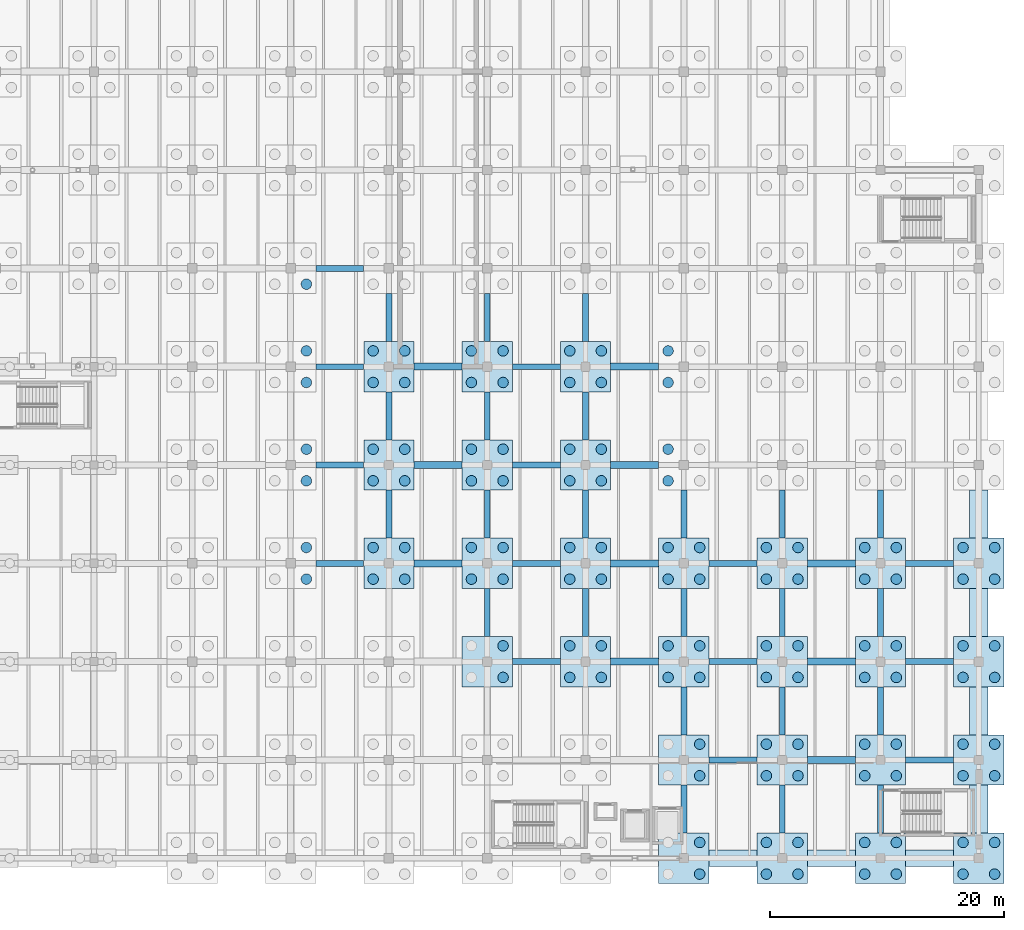
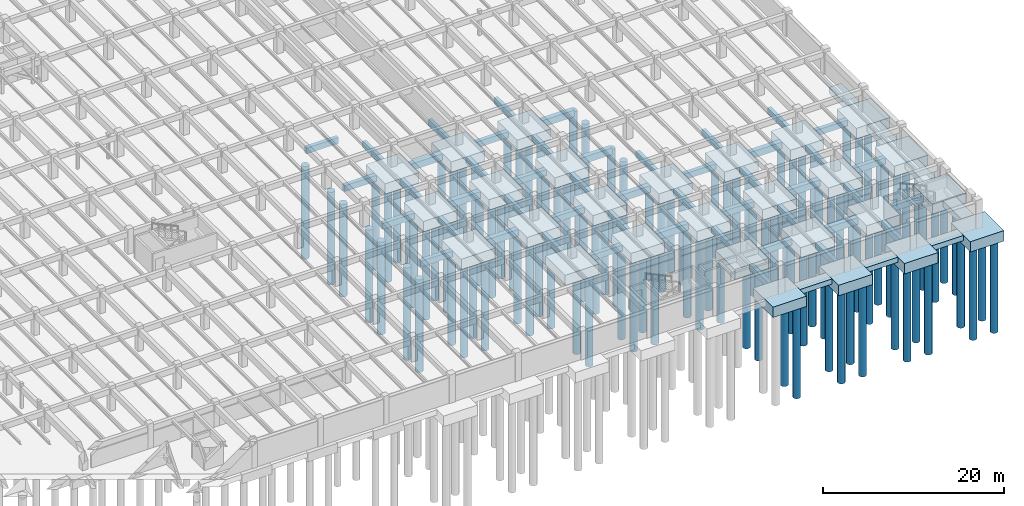
# One storey, part 10 of 70: 113 piles, 81 footings.
"""IFC4 building model written with IfcOpenShell, lengths in metres."""

from ifc_helpers import new_model, si_unit, direction, frame, origin, origin_2d, place, context, subcontext, project, spatial, rectangle, circle, extrude, material, material_profile, profile_set, type_object, element, save


model = new_model("IFC4")

# Units and contexts
model_context = context("Model", 3, precision=1e-05, world=origin(), true_north=direction((0.0, 1.0)))
body_context = subcontext(model_context, "Body", "Model", "MODEL_VIEW")
ifc_project = project(units=[si_unit("LENGTHUNIT", "METRE"), si_unit("AREAUNIT", "SQUARE_METRE"), si_unit("VOLUMEUNIT", "CUBIC_METRE"), si_unit("PLANEANGLEUNIT", "RADIAN"), si_unit("MASSUNIT", "GRAM", prefix="KILO")], contexts=[model_context])

# Site, building, storey
site_placement = place(None, origin())
site = spatial("IfcSite", under=ifc_project, at=site_placement, CompositionType="ELEMENT")
building_placement = place(site_placement, origin())
building = spatial("IfcBuilding", under=site, at=building_placement, Name="Cumbredor Promenade Congress Hotel", CompositionType="ELEMENT")
storey_placement = place(building_placement, frame((0.0, 0.0, -7.56005859375)))
storey = spatial("IfcBuildingStorey", under=building, at=storey_placement, Name="B02", CompositionType="ELEMENT", Elevation=-7.56005859375)

# Piles
ifc_material = material(Name="Concrete C40/50", Category="concrete")
ifc_material_profile_1 = material_profile(ifc_material, circle(Radius=0.449951171875, at=origin_2d()), Name="PILE D900")
ifc_profile_set_1 = profile_set([ifc_material_profile_1], Name="Concrete C40/50")
pile_type = type_object("IfcPileType", Name="Bored Concrete Pile BP-02 900mm", PredefinedType="BORED", material=ifc_profile_set_1)
for number, where, z_axis, x_axis, name in (
    (1, (127.35009765625, 32.25, -1.75), (0.0, 0.0, -1.0), (1.0, 0.0, 0.0), "Bored Pile PC-02-201.2"),
    (2, (127.35009765625, 34.949951171875, -1.75), (0.0, 0.0, -1.0), (1.0, 0.0, 0.0), "Bored Pile PC-02-201.4"),
    (3, (127.35009765625, 40.64990234375, -1.75), (0.0, 0.0, -1.0), (1.0, 0.0, 0.0), "Bored Pile PC-02-202.2"),
    (4, (127.35009765625, 43.35009765625, -1.75), (0.0, 0.0, -1.0), (1.0, 0.0, 0.0), "Bored Pile PC-02-202.4"),
    (5, (127.35009765625, 49.050048828125, -1.75), (0.0, 0.0, -1.0), (1.0, 0.0, 0.0), "Bored Pile PC-02-203.2"),
    (6, (127.35009765625, 51.75, -1.75), (0.0, 0.0, -1.0), (1.0, 0.0, 0.0), "Bored Pile PC-02-203.4"),
    (7, (127.35009765625, 57.449951171875, -1.75), (0.0, 0.0, -1.0), (1.0, 0.0, 0.0), "Bored Pile PC-02-204.2"),
    (8, (133.050048828125, 32.25, -1.75), (0.0, 0.0, -1.0), (1.0, 0.0, 0.0), "Bored Pile PC-02-215.1"),
    (9, (135.75, 32.25, -1.75), (0.0, 0.0, -1.0), (1.0, 0.0, 0.0), "Bored Pile PC-02-215.2"),
    (10, (133.050048828125, 34.949951171875, -1.75), (0.0, 0.0, -1.0), (1.0, 0.0, 0.0), "Bored Pile PC-02-215.3"),
    (11, (135.75, 34.949951171875, -1.75), (0.0, 0.0, -1.0), (1.0, 0.0, 0.0), "Bored Pile PC-02-215.4"),
    (12, (133.050048828125, 40.64990234375, -1.75), (0.0, 0.0, -1.0), (1.0, 0.0, 0.0), "Bored Pile PC-02-216.1"),
    (13, (135.75, 40.64990234375, -1.75), (0.0, 0.0, -1.0), (1.0, 0.0, 0.0), "Bored Pile PC-02-216.2"),
    (14, (133.050048828125, 43.35009765625, -1.75), (0.0, 0.0, -1.0), (1.0, 0.0, 0.0), "Bored Pile PC-02-216.3"),
    (15, (135.75, 43.35009765625, -1.75), (0.0, 0.0, -1.0), (1.0, 0.0, 0.0), "Bored Pile PC-02-216.4"),
    (16, (133.050048828125, 49.050048828125, -1.75), (0.0, 0.0, -1.0), (1.0, 0.0, 0.0), "Bored Pile PC-02-217.1"),
    (17, (135.75, 49.050048828125, -1.75), (0.0, 0.0, -1.0), (1.0, 0.0, 0.0), "Bored Pile PC-02-217.2"),
    (18, (133.050048828125, 51.75, -1.75), (0.0, 0.0, -1.0), (1.0, 0.0, 0.0), "Bored Pile PC-02-217.3"),
    (19, (135.75, 51.75, -1.75), (0.0, 0.0, -1.0), (1.0, 0.0, 0.0), "Bored Pile PC-02-217.4"),
    (20, (144.14990234375, 23.85009765625, -1.75), (0.0, 0.0, -1.0), (1.0, 0.0, 0.0), "Bored Pile PC-02-228.2"),
    (21, (144.14990234375, 26.550048828125, -1.75), (0.0, 0.0, -1.0), (1.0, 0.0, 0.0), "Bored Pile PC-02-228.4"),
    (22, (141.449951171875, 32.25, -1.75), (0.0, 0.0, -1.0), (1.0, 0.0, 0.0), "Bored Pile PC-02-229.1"),
    (23, (144.14990234375, 32.25, -1.75), (0.0, 0.0, -1.0), (1.0, 0.0, 0.0), "Bored Pile PC-02-229.2"),
    (24, (141.449951171875, 34.949951171875, -1.75), (0.0, 0.0, -1.0), (1.0, 0.0, 0.0), "Bored Pile PC-02-229.3"),
    (25, (144.14990234375, 34.949951171875, -1.75), (0.0, 0.0, -1.0), (1.0, 0.0, 0.0), "Bored Pile PC-02-229.4"),
    (26, (141.449951171875, 40.64990234375, -1.75), (0.0, 0.0, -1.0), (1.0, 0.0, 0.0), "Bored Pile PC-02-230.1"),
    (27, (144.14990234375, 40.64990234375, -1.75), (0.0, 0.0, -1.0), (1.0, 0.0, 0.0), "Bored Pile PC-02-230.2"),
    (28, (141.449951171875, 43.35009765625, -1.75), (0.0, 0.0, -1.0), (1.0, 0.0, 0.0), "Bored Pile PC-02-230.3"),
    (29, (144.14990234375, 43.35009765625, -1.75), (0.0, 0.0, -1.0), (1.0, 0.0, 0.0), "Bored Pile PC-02-230.4"),
    (30, (141.449951171875, 49.050048828125, -1.75), (0.0, 0.0, -1.0), (1.0, 0.0, 0.0), "Bored Pile PC-02-231.1"),
    (31, (144.14990234375, 49.050048828125, -1.75), (0.0, 0.0, -1.0), (1.0, 0.0, 0.0), "Bored Pile PC-02-231.2"),
    (32, (141.449951171875, 51.75, -1.75), (0.0, 0.0, -1.0), (1.0, 0.0, 0.0), "Bored Pile PC-02-231.3"),
    (33, (144.14990234375, 51.75, -1.75), (0.0, 0.0, -1.0), (1.0, 0.0, 0.0), "Bored Pile PC-02-231.4"),
    (34, (149.85009765625, 23.85009765625, -1.75), (0.0, 0.0, -1.0), (1.0, 0.0, 0.0), "Bored Pile PC-02-242.1"),
    (35, (152.550048828125, 23.85009765625, -1.75), (0.0, 0.0, -1.0), (1.0, 0.0, 0.0), "Bored Pile PC-02-242.2"),
    (36, (149.85009765625, 26.550048828125, -1.75), (0.0, 0.0, -1.0), (1.0, 0.0, 0.0), "Bored Pile PC-02-242.3"),
    (37, (152.550048828125, 26.550048828125, -1.75), (0.0, 0.0, -1.0), (1.0, 0.0, 0.0), "Bored Pile PC-02-242.4"),
    (38, (149.85009765625, 32.25, -1.75), (0.0, 0.0, -1.0), (1.0, 0.0, 0.0), "Bored Pile PC-02-243.1"),
    (39, (152.550048828125, 32.25, -1.75), (0.0, 0.0, -1.0), (1.0, 0.0, 0.0), "Bored Pile PC-02-243.2"),
    (40, (149.85009765625, 34.949951171875, -1.75), (0.0, 0.0, -1.0), (1.0, 0.0, 0.0), "Bored Pile PC-02-243.3"),
    (41, (152.550048828125, 34.949951171875, -1.75), (0.0, 0.0, -1.0), (1.0, 0.0, 0.0), "Bored Pile PC-02-243.4"),
    (42, (149.85009765625, 40.64990234375, -1.75), (0.0, 0.0, -1.0), (1.0, 0.0, 0.0), "Bored Pile PC-02-244.1"),
    (43, (152.550048828125, 40.64990234375, -1.75), (0.0, 0.0, -1.0), (1.0, 0.0, 0.0), "Bored Pile PC-02-244.2"),
    (44, (149.85009765625, 43.35009765625, -1.75), (0.0, 0.0, -1.0), (1.0, 0.0, 0.0), "Bored Pile PC-02-244.3"),
    (45, (152.550048828125, 43.35009765625, -1.75), (0.0, 0.0, -1.0), (1.0, 0.0, 0.0), "Bored Pile PC-02-244.4"),
    (46, (149.85009765625, 49.050048828125, -1.75), (0.0, 0.0, -1.0), (1.0, 0.0, 0.0), "Bored Pile PC-02-245.1"),
    (47, (152.550048828125, 49.050048828125, -1.75), (0.0, 0.0, -1.0), (1.0, 0.0, 0.0), "Bored Pile PC-02-245.2"),
    (48, (149.85009765625, 51.75, -1.75), (0.0, 0.0, -1.0), (1.0, 0.0, 0.0), "Bored Pile PC-02-245.3"),
    (49, (152.550048828125, 51.75, -1.75), (0.0, 0.0, -1.0), (1.0, 0.0, 0.0), "Bored Pile PC-02-245.4"),
    (50, (160.949951171875, 7.050048828125, -1.75), (0.0, 0.0, -1.0), (1.0, 0.0, 0.0), "Bored Pile PC-02-254.2"),
    (51, (160.949951171875, 9.75, -1.75), (0.0, 0.0, -1.0), (1.0, 0.0, 0.0), "Bored Pile PC-02-254.4"),
    (52, (160.949951171875, 15.449951171875, -1.75), (0.0, 0.0, -1.0), (1.0, 0.0, 0.0), "Bored Pile PC-02-255.2"),
    (53, (160.949951171875, 18.14990234375, -1.75), (0.0, 0.0, -1.0), (1.0, 0.0, 0.0), "Bored Pile PC-02-255.4"),
    (54, (158.25, 23.85009765625, -1.75), (0.0, 0.0, -1.0), (1.0, 0.0, 0.0), "Bored Pile PC-02-256.1"),
    (55, (160.949951171875, 23.85009765625, -1.75), (0.0, 0.0, -1.0), (1.0, 0.0, 0.0), "Bored Pile PC-02-256.2"),
    (56, (158.25, 26.550048828125, -1.75), (0.0, 0.0, -1.0), (1.0, 0.0, 0.0), "Bored Pile PC-02-256.3"),
    (57, (160.949951171875, 26.550048828125, -1.75), (0.0, 0.0, -1.0), (1.0, 0.0, 0.0), "Bored Pile PC-02-256.4"),
    (58, (158.25, 32.25, -1.75), (0.0, 0.0, -1.0), (1.0, 0.0, 0.0), "Bored Pile PC-02-257.1"),
    (59, (160.949951171875, 32.25, -1.75), (0.0, 0.0, -1.0), (1.0, 0.0, 0.0), "Bored Pile PC-02-257.2"),
    (60, (158.25, 34.949951171875, -1.75), (0.0, 0.0, -1.0), (1.0, 0.0, 0.0), "Bored Pile PC-02-257.3"),
    (61, (160.949951171875, 34.949951171875, -1.75), (0.0, 0.0, -1.0), (1.0, 0.0, 0.0), "Bored Pile PC-02-257.4"),
    (62, (158.25, 40.64990234375, -1.75), (0.0, 0.0, -1.0), (1.0, 0.0, 0.0), "Bored Pile PC-02-258.1"),
    (63, (158.25, 43.35009765625, -1.75), (0.0, 0.0, -1.0), (1.0, 0.0, 0.0), "Bored Pile PC-02-258.3"),
    (64, (158.25, 49.050048828125, -1.75), (0.0, 0.0, -1.0), (1.0, 0.0, 0.0), "Bored Pile PC-02-259.1"),
    (65, (158.25, 51.75, -1.75), (0.0, 0.0, -1.0), (1.0, 0.0, 0.0), "Bored Pile PC-02-259.3"),
    (66, (166.64990234375, 7.050048828125, -1.75), (0.0, 0.0, -1.0), (1.0, 0.0, 0.0), "Bored Pile PC-02-268.1"),
    (67, (169.35009765625, 7.050048828125, -1.75), (0.0, 0.0, -1.0), (1.0, 0.0, 0.0), "Bored Pile PC-02-268.2"),
    (68, (166.64990234375, 9.75, -1.75), (0.0, 0.0, -1.0), (1.0, 0.0, 0.0), "Bored Pile PC-02-268.3"),
    (69, (169.35009765625, 9.75, -1.75), (0.0, 0.0, -1.0), (1.0, 0.0, 0.0), "Bored Pile PC-02-268.4"),
    (70, (166.64990234375, 15.449951171875, -1.75), (0.0, 0.0, -1.0), (1.0, 0.0, 0.0), "Bored Pile PC-02-269.1"),
    (71, (169.35009765625, 15.449951171875, -1.75), (0.0, 0.0, -1.0), (1.0, 0.0, 0.0), "Bored Pile PC-02-269.2"),
    (72, (166.64990234375, 18.14990234375, -1.75), (0.0, 0.0, -1.0), (1.0, 0.0, 0.0), "Bored Pile PC-02-269.3"),
    (73, (169.35009765625, 18.14990234375, -1.75), (0.0, 0.0, -1.0), (1.0, 0.0, 0.0), "Bored Pile PC-02-269.4"),
    (74, (166.64990234375, 23.85009765625, -1.75), (0.0, 0.0, -1.0), (1.0, 0.0, 0.0), "Bored Pile PC-02-270.1"),
    (75, (169.35009765625, 23.85009765625, -1.75), (0.0, 0.0, -1.0), (1.0, 0.0, 0.0), "Bored Pile PC-02-270.2"),
    (76, (166.64990234375, 26.550048828125, -1.75), (0.0, 0.0, -1.0), (1.0, 0.0, 0.0), "Bored Pile PC-02-270.3"),
    (77, (169.35009765625, 26.550048828125, -1.75), (0.0, 0.0, -1.0), (1.0, 0.0, 0.0), "Bored Pile PC-02-270.4"),
    (78, (166.64990234375, 32.25, -1.75), (0.0, 0.0, -1.0), (1.0, 0.0, 0.0), "Bored Pile PC-02-271.1"),
    (79, (169.35009765625, 32.25, -1.75), (0.0, 0.0, -1.0), (1.0, 0.0, 0.0), "Bored Pile PC-02-271.2"),
    (80, (166.64990234375, 34.949951171875, -1.75), (0.0, 0.0, -1.0), (1.0, 0.0, 0.0), "Bored Pile PC-02-271.3"),
    (81, (169.35009765625, 34.949951171875, -1.75), (0.0, 0.0, -1.0), (1.0, 0.0, 0.0), "Bored Pile PC-02-271.4"),
    (82, (175.050048828125, 7.050048828125, -1.75), (0.0, 0.0, -1.0), (1.0, 0.0, 0.0), "Bored Pile PC-02-282.1"),
    (83, (177.75, 7.050048828125, -1.75), (0.0, 0.0, -1.0), (1.0, 0.0, 0.0), "Bored Pile PC-02-282.2"),
    (84, (175.050048828125, 9.75, -1.75), (0.0, 0.0, -1.0), (1.0, 0.0, 0.0), "Bored Pile PC-02-282.3"),
    (85, (177.75, 9.75, -1.75), (0.0, 0.0, -1.0), (1.0, 0.0, 0.0), "Bored Pile PC-02-282.4"),
    (86, (175.050048828125, 15.449951171875, -1.75), (0.0, 0.0, -1.0), (1.0, 0.0, 0.0), "Bored Pile PC-02-283.1"),
    (87, (177.75, 15.449951171875, -1.75), (0.0, 0.0, -1.0), (1.0, 0.0, 0.0), "Bored Pile PC-02-283.2"),
    (88, (175.050048828125, 18.14990234375, -1.75), (0.0, 0.0, -1.0), (1.0, 0.0, 0.0), "Bored Pile PC-02-283.3"),
    (89, (177.75, 18.14990234375, -1.75), (0.0, 0.0, -1.0), (1.0, 0.0, 0.0), "Bored Pile PC-02-283.4"),
    (90, (175.050048828125, 23.85009765625, -1.75), (0.0, 0.0, -1.0), (1.0, 0.0, 0.0), "Bored Pile PC-02-284.1"),
    (91, (177.75, 23.85009765625, -1.75), (0.0, 0.0, -1.0), (1.0, 0.0, 0.0), "Bored Pile PC-02-284.2"),
    (92, (175.050048828125, 26.550048828125, -1.75), (0.0, 0.0, -1.0), (1.0, 0.0, 0.0), "Bored Pile PC-02-284.3"),
    (93, (177.75, 26.550048828125, -1.75), (0.0, 0.0, -1.0), (1.0, 0.0, 0.0), "Bored Pile PC-02-284.4"),
    (94, (175.050048828125, 32.25, -1.75), (0.0, 0.0, -1.0), (1.0, 0.0, 0.0), "Bored Pile PC-02-285.1"),
    (95, (177.75, 32.25, -1.75), (0.0, 0.0, -1.0), (1.0, 0.0, 0.0), "Bored Pile PC-02-285.2"),
    (96, (175.050048828125, 34.949951171875, -1.75), (0.0, 0.0, -1.0), (1.0, 0.0, 0.0), "Bored Pile PC-02-285.3"),
    (97, (177.75, 34.949951171875, -1.75), (0.0, 0.0, -1.0), (1.0, 0.0, 0.0), "Bored Pile PC-02-285.4"),
    (98, (183.449951171875, 7.050048828125, -1.75), (0.0, 0.0, -1.0), (1.0, 0.0, 0.0), "Bored Pile PC-02-296.1"),
    (99, (186.14990234375, 7.050048828125, -1.75), (0.0, 0.0, -1.0), (1.0, 0.0, 0.0), "Bored Pile PC-02-296.2"),
    (100, (183.449951171875, 9.75, -1.75), (0.0, 0.0, -1.0), (1.0, 0.0, 0.0), "Bored Pile PC-02-296.3"),
    (101, (186.14990234375, 9.75, -1.75), (0.0, 0.0, -1.0), (1.0, 0.0, 0.0), "Bored Pile PC-02-296.4"),
    (102, (183.449951171875, 15.449951171875, -1.75), (0.0, 0.0, -1.0), (1.0, 0.0, 0.0), "Bored Pile PC-02-297.1"),
    (103, (186.14990234375, 15.449951171875, -1.75), (0.0, 0.0, -1.0), (1.0, 0.0, 0.0), "Bored Pile PC-02-297.2"),
    (104, (183.449951171875, 18.14990234375, -1.75), (0.0, 0.0, -1.0), (1.0, 0.0, 0.0), "Bored Pile PC-02-297.3"),
    (105, (186.14990234375, 18.14990234375, -1.75), (0.0, 0.0, -1.0), (1.0, 0.0, 0.0), "Bored Pile PC-02-297.4"),
    (106, (183.449951171875, 23.85009765625, -1.75), (0.0, 0.0, -1.0), (1.0, 0.0, 0.0), "Bored Pile PC-02-298.1"),
    (107, (186.14990234375, 23.85009765625, -1.75), (0.0, 0.0, -1.0), (1.0, 0.0, 0.0), "Bored Pile PC-02-298.2"),
    (108, (183.449951171875, 26.550048828125, -1.75), (0.0, 0.0, -1.0), (1.0, 0.0, 0.0), "Bored Pile PC-02-298.3"),
    (109, (186.14990234375, 26.550048828125, -1.75), (0.0, 0.0, -1.0), (1.0, 0.0, 0.0), "Bored Pile PC-02-298.4"),
    (110, (183.449951171875, 32.25, -1.75), (0.0, 0.0, -1.0), (1.0, 0.0, 0.0), "Bored Pile PC-02-299.1"),
    (111, (186.14990234375, 32.25, -1.75), (0.0, 0.0, -1.0), (1.0, 0.0, 0.0), "Bored Pile PC-02-299.2"),
    (112, (183.449951171875, 34.949951171875, -1.75), (0.0, 0.0, -1.0), (1.0, 0.0, 0.0), "Bored Pile PC-02-299.3"),
    (113, (186.14990234375, 34.949951171875, -1.75), (0.0, 0.0, -1.0), (1.0, 0.0, 0.0), "Bored Pile PC-02-299.4"),
):
    element("IfcPile", number, at=place(storey_placement, frame(where, z_axis=z_axis, x_axis=x_axis)), inside=storey, type_object=pile_type, Name=name, PredefinedType="BORED", context=body_context, shape_type="SweptSolid", body=[
        extrude(circle(Radius=0.449951171875, at=origin_2d()), origin(), (0.0, 0.0, 1.0), 12.5),
    ])

# Footings
ifc_material_profile_2 = material_profile(ifc_material, rectangle(XDim=0.5, YDim=0.800048828125, at=origin_2d()), Name="FB 500x800")
ifc_profile_set_2 = profile_set([ifc_material_profile_2], Name="Concrete C40/50")
footing_type_1 = type_object("IfcFootingType", Name="Concrete Footing Tie Beam FB-01 500x800", PredefinedType="FOOTING_BEAM", material=ifc_profile_set_2)
for number, where, z_axis, x_axis, name in (
    (114, (128.152099609375, 33.60009765625, -0.89990234375), (1.0, 0.0, 0.0), (0.0, 1.0, 0.0), "Seismic Footing Tie Beam FB-377"),
    (115, (128.152099609375, 42.0, -0.89990234375), (1.0, 0.0, 0.0), (0.0, 1.0, 0.0), "Seismic Footing Tie Beam FB-379"),
    (116, (128.152099609375, 50.39990234375, -0.89990234375), (1.0, 0.0, 0.0), (0.0, 1.0, 0.0), "Seismic Footing Tie Beam FB-381"),
    (117, (128.152099609375, 58.800048828125, -0.89990234375), (1.0, 0.0, 0.0), (0.0, 1.0, 0.0), "Seismic Footing Tie Beam FB-383"),
    (118, (134.39990234375, 35.751953125, -0.89990234375), (0.0, 1.0, 0.0), (-1.0, 0.0, 0.0), "Seismic Footing Tie Beam FB-405"),
    (119, (134.39990234375, 44.152099609375, -0.89990234375), (0.0, 1.0, 0.0), (-1.0, 0.0, 0.0), "Seismic Footing Tie Beam FB-407"),
    (120, (134.39990234375, 52.552001953125, -0.89990234375), (0.0, 1.0, 0.0), (-1.0, 0.0, 0.0), "Seismic Footing Tie Beam FB-409"),
):
    element("IfcFooting", number, at=place(storey_placement, frame(where, z_axis=z_axis, x_axis=x_axis)), inside=storey, type_object=footing_type_1, Name=name, PredefinedType="FOOTING_BEAM", context=body_context, shape_type="SweptSolid", body=[
        extrude(rectangle(XDim=0.5, YDim=0.800048828125, at=origin_2d()), origin(), (0.0, 0.0, 1.0), 4.095947265625),
    ])
footing_1_placement = place(storey_placement, frame((144.951904296875, 25.199951171875, -0.89990234375), z_axis=(1.0, 0.0, 0.0), x_axis=(0.0, 1.0, 0.0)))
element("IfcFooting", 121, at=footing_1_placement, inside=storey, type_object=footing_type_1, Name="Seismic Footing Tie Beam FB-429", PredefinedType="FOOTING_BEAM", context=body_context, shape_type="SweptSolid", body=[
    extrude(rectangle(XDim=0.5, YDim=0.800048828125, at=origin_2d()), origin(), (0.0, 0.0, 1.0), 4.09619140625),
])
footing_2_placement = place(storey_placement, frame((142.800048828125, 27.35205078125, -0.89990234375), z_axis=(0.0, 1.0, 0.0), x_axis=(-1.0, 0.0, 0.0)))
element("IfcFooting", 122, at=footing_2_placement, inside=storey, type_object=footing_type_1, Name="Seismic Footing Tie Beam FB-430", PredefinedType="FOOTING_BEAM", context=body_context, shape_type="SweptSolid", body=[
    extrude(rectangle(XDim=0.5, YDim=0.800048828125, at=origin_2d()), origin(), (0.0, 0.0, 1.0), 4.095947265625),
])
footing_3_placement = place(storey_placement, frame((144.951904296875, 33.60009765625, -0.89990234375), z_axis=(1.0, 0.0, 0.0), x_axis=(0.0, 1.0, 0.0)))
element("IfcFooting", 123, at=footing_3_placement, inside=storey, type_object=footing_type_1, Name="Seismic Footing Tie Beam FB-431", PredefinedType="FOOTING_BEAM", context=body_context, shape_type="SweptSolid", body=[
    extrude(rectangle(XDim=0.5, YDim=0.800048828125, at=origin_2d()), origin(), (0.0, 0.0, 1.0), 4.09619140625),
])
footing_4_placement = place(storey_placement, frame((142.800048828125, 35.751953125, -0.89990234375), z_axis=(0.0, 1.0, 0.0), x_axis=(-1.0, 0.0, 0.0)))
element("IfcFooting", 124, at=footing_4_placement, inside=storey, type_object=footing_type_1, Name="Seismic Footing Tie Beam FB-432", PredefinedType="FOOTING_BEAM", context=body_context, shape_type="SweptSolid", body=[
    extrude(rectangle(XDim=0.5, YDim=0.800048828125, at=origin_2d()), origin(), (0.0, 0.0, 1.0), 4.095947265625),
])
footing_5_placement = place(storey_placement, frame((144.951904296875, 42.0, -0.89990234375), z_axis=(1.0, 0.0, 0.0), x_axis=(0.0, 1.0, 0.0)))
element("IfcFooting", 125, at=footing_5_placement, inside=storey, type_object=footing_type_1, Name="Seismic Footing Tie Beam FB-433", PredefinedType="FOOTING_BEAM", context=body_context, shape_type="SweptSolid", body=[
    extrude(rectangle(XDim=0.5, YDim=0.800048828125, at=origin_2d()), origin(), (0.0, 0.0, 1.0), 4.09619140625),
])
footing_6_placement = place(storey_placement, frame((142.800048828125, 44.152099609375, -0.89990234375), z_axis=(0.0, 1.0, 0.0), x_axis=(-1.0, 0.0, 0.0)))
element("IfcFooting", 126, at=footing_6_placement, inside=storey, type_object=footing_type_1, Name="Seismic Footing Tie Beam FB-434", PredefinedType="FOOTING_BEAM", context=body_context, shape_type="SweptSolid", body=[
    extrude(rectangle(XDim=0.5, YDim=0.800048828125, at=origin_2d()), origin(), (0.0, 0.0, 1.0), 4.095947265625),
])
footing_7_placement = place(storey_placement, frame((144.951904296875, 50.39990234375, -0.89990234375), z_axis=(1.0, 0.0, 0.0), x_axis=(0.0, 1.0, 0.0)))
element("IfcFooting", 127, at=footing_7_placement, inside=storey, type_object=footing_type_1, Name="Seismic Footing Tie Beam FB-435", PredefinedType="FOOTING_BEAM", context=body_context, shape_type="SweptSolid", body=[
    extrude(rectangle(XDim=0.5, YDim=0.800048828125, at=origin_2d()), origin(), (0.0, 0.0, 1.0), 4.09619140625),
])
for number, where, z_axis, x_axis, name in (
    (128, (142.800048828125, 52.552001953125, -0.89990234375), (0.0, 1.0, 0.0), (-1.0, 0.0, 0.0), "Seismic Footing Tie Beam FB-436"),
    (129, (151.199951171875, 27.35205078125, -0.89990234375), (0.0, 1.0, 0.0), (-1.0, 0.0, 0.0), "Seismic Footing Tie Beam FB-457"),
    (130, (151.199951171875, 35.751953125, -0.89990234375), (0.0, 1.0, 0.0), (-1.0, 0.0, 0.0), "Seismic Footing Tie Beam FB-459"),
    (131, (151.199951171875, 44.152099609375, -0.89990234375), (0.0, 1.0, 0.0), (-1.0, 0.0, 0.0), "Seismic Footing Tie Beam FB-461"),
    (132, (151.199951171875, 52.552001953125, -0.89990234375), (0.0, 1.0, 0.0), (-1.0, 0.0, 0.0), "Seismic Footing Tie Beam FB-463"),
    (133, (159.60009765625, 10.552001953125, -0.89990234375), (0.0, 1.0, 0.0), (-1.0, 0.0, 0.0), "Seismic Footing Tie Beam FB-480"),
    (134, (161.751953125, 16.800048828125, -0.89990234375), (1.0, 0.0, 0.0), (0.0, 1.0, 0.0), "Seismic Footing Tie Beam FB-481"),
):
    element("IfcFooting", number, at=place(storey_placement, frame(where, z_axis=z_axis, x_axis=x_axis)), inside=storey, type_object=footing_type_1, Name=name, PredefinedType="FOOTING_BEAM", context=body_context, shape_type="SweptSolid", body=[
        extrude(rectangle(XDim=0.5, YDim=0.800048828125, at=origin_2d()), origin(), (0.0, 0.0, 1.0), 4.095947265625),
    ])
footing_8_placement = place(storey_placement, frame((159.60009765625, 18.951904296875, -0.89990234375), z_axis=(0.0, 1.0, 0.0), x_axis=(-1.0, 0.0, 0.0)))
element("IfcFooting", 135, at=footing_8_placement, inside=storey, type_object=footing_type_1, Name="Seismic Footing Tie Beam FB-482", PredefinedType="FOOTING_BEAM", context=body_context, shape_type="SweptSolid", body=[
    extrude(rectangle(XDim=0.5, YDim=0.800048828125, at=origin_2d()), origin(), (0.0, 0.0, 1.0), 4.09619140625),
])
for number, where, z_axis, x_axis, name in (
    (136, (161.751953125, 25.199951171875, -0.89990234375), (1.0, 0.0, 0.0), (0.0, 1.0, 0.0), "Seismic Footing Tie Beam FB-483"),
    (137, (159.60009765625, 27.35205078125, -0.89990234375), (0.0, 1.0, 0.0), (-1.0, 0.0, 0.0), "Seismic Footing Tie Beam FB-484"),
    (138, (161.751953125, 33.60009765625, -0.89990234375), (1.0, 0.0, 0.0), (0.0, 1.0, 0.0), "Seismic Footing Tie Beam FB-485"),
    (139, (159.60009765625, 35.751953125, -0.89990234375), (0.0, 1.0, 0.0), (-1.0, 0.0, 0.0), "Seismic Footing Tie Beam FB-486"),
    (140, (168.0, 10.552001953125, -0.89990234375), (0.0, 1.0, 0.0), (-1.0, 0.0, 0.0), "Seismic Footing Tie Beam FB-507"),
):
    element("IfcFooting", number, at=place(storey_placement, frame(where, z_axis=z_axis, x_axis=x_axis)), inside=storey, type_object=footing_type_1, Name=name, PredefinedType="FOOTING_BEAM", context=body_context, shape_type="SweptSolid", body=[
        extrude(rectangle(XDim=0.5, YDim=0.800048828125, at=origin_2d()), origin(), (0.0, 0.0, 1.0), 4.095947265625),
    ])
footing_9_placement = place(storey_placement, frame((168.0, 18.951904296875, -0.89990234375), z_axis=(0.0, 1.0, 0.0), x_axis=(-1.0, 0.0, 0.0)))
element("IfcFooting", 141, at=footing_9_placement, inside=storey, type_object=footing_type_1, Name="Seismic Footing Tie Beam FB-509", PredefinedType="FOOTING_BEAM", context=body_context, shape_type="SweptSolid", body=[
    extrude(rectangle(XDim=0.5, YDim=0.800048828125, at=origin_2d()), origin(), (0.0, 0.0, 1.0), 4.09619140625),
])
for number, where, z_axis, x_axis, name in (
    (142, (168.0, 27.35205078125, -0.89990234375), (0.0, 1.0, 0.0), (-1.0, 0.0, 0.0), "Seismic Footing Tie Beam FB-511"),
    (143, (168.0, 35.751953125, -0.89990234375), (0.0, 1.0, 0.0), (-1.0, 0.0, 0.0), "Seismic Footing Tie Beam FB-513"),
    (144, (176.39990234375, 10.552001953125, -0.89990234375), (0.0, 1.0, 0.0), (-1.0, 0.0, 0.0), "Seismic Footing Tie Beam FB-534"),
    (145, (178.552001953125, 16.800048828125, -0.89990234375), (1.0, 0.0, 0.0), (0.0, 1.0, 0.0), "Seismic Footing Tie Beam FB-535"),
):
    element("IfcFooting", number, at=place(storey_placement, frame(where, z_axis=z_axis, x_axis=x_axis)), inside=storey, type_object=footing_type_1, Name=name, PredefinedType="FOOTING_BEAM", context=body_context, shape_type="SweptSolid", body=[
        extrude(rectangle(XDim=0.5, YDim=0.800048828125, at=origin_2d()), origin(), (0.0, 0.0, 1.0), 4.095947265625),
    ])
footing_10_placement = place(storey_placement, frame((176.39990234375, 18.951904296875, -0.89990234375), z_axis=(0.0, 1.0, 0.0), x_axis=(-1.0, 0.0, 0.0)))
element("IfcFooting", 146, at=footing_10_placement, inside=storey, type_object=footing_type_1, Name="Seismic Footing Tie Beam FB-536", PredefinedType="FOOTING_BEAM", context=body_context, shape_type="SweptSolid", body=[
    extrude(rectangle(XDim=0.5, YDim=0.800048828125, at=origin_2d()), origin(), (0.0, 0.0, 1.0), 4.09619140625),
])
for number, where, z_axis, x_axis, name in (
    (147, (178.552001953125, 25.199951171875, -0.89990234375), (1.0, 0.0, 0.0), (0.0, 1.0, 0.0), "Seismic Footing Tie Beam FB-537"),
    (148, (176.39990234375, 27.35205078125, -0.89990234375), (0.0, 1.0, 0.0), (-1.0, 0.0, 0.0), "Seismic Footing Tie Beam FB-538"),
    (149, (178.552001953125, 33.60009765625, -0.89990234375), (1.0, 0.0, 0.0), (0.0, 1.0, 0.0), "Seismic Footing Tie Beam FB-539"),
    (150, (176.39990234375, 35.751953125, -0.89990234375), (0.0, 1.0, 0.0), (-1.0, 0.0, 0.0), "Seismic Footing Tie Beam FB-540"),
):
    element("IfcFooting", number, at=place(storey_placement, frame(where, z_axis=z_axis, x_axis=x_axis)), inside=storey, type_object=footing_type_1, Name=name, PredefinedType="FOOTING_BEAM", context=body_context, shape_type="SweptSolid", body=[
        extrude(rectangle(XDim=0.5, YDim=0.800048828125, at=origin_2d()), origin(), (0.0, 0.0, 1.0), 4.095947265625),
    ])
ifc_material_profile_3 = material_profile(ifc_material, rectangle(XDim=0.60009765625, YDim=0.89990234375, at=origin_2d()), Name="FB 600x900")
ifc_profile_set_3 = profile_set([ifc_material_profile_3], Name="Concrete C40/50")
footing_type_2 = type_object("IfcFootingType", Name="Concrete Footing Tie Beam FB-02 600x900", PredefinedType="FOOTING_BEAM", material=ifc_profile_set_3)
for number, where, z_axis, x_axis, name in (
    (151, (136.552001953125, 33.60009765625, -0.949951171875), (1.0, 0.0, 0.0), (0.0, 1.0, 0.0), "Seismic Footing Tie Beam FB-404"),
    (152, (136.552001953125, 42.0, -0.949951171875), (1.0, 0.0, 0.0), (0.0, 1.0, 0.0), "Seismic Footing Tie Beam FB-406"),
    (153, (136.552001953125, 50.39990234375, -0.949951171875), (1.0, 0.0, 0.0), (0.0, 1.0, 0.0), "Seismic Footing Tie Beam FB-408"),
    (154, (153.35205078125, 25.199951171875, -0.949951171875), (1.0, 0.0, 0.0), (0.0, 1.0, 0.0), "Seismic Footing Tie Beam FB-456"),
    (155, (153.35205078125, 33.60009765625, -0.949951171875), (1.0, 0.0, 0.0), (0.0, 1.0, 0.0), "Seismic Footing Tie Beam FB-458"),
    (156, (153.35205078125, 42.0, -0.949951171875), (1.0, 0.0, 0.0), (0.0, 1.0, 0.0), "Seismic Footing Tie Beam FB-460"),
    (157, (153.35205078125, 50.39990234375, -0.949951171875), (1.0, 0.0, 0.0), (0.0, 1.0, 0.0), "Seismic Footing Tie Beam FB-462"),
    (158, (170.152099609375, 16.800048828125, -0.949951171875), (1.0, 0.0, 0.0), (0.0, 1.0, 0.0), "Seismic Footing Tie Beam FB-508"),
    (159, (170.152099609375, 25.199951171875, -0.949951171875), (1.0, 0.0, 0.0), (0.0, 1.0, 0.0), "Seismic Footing Tie Beam FB-510"),
    (160, (170.152099609375, 33.60009765625, -0.949951171875), (1.0, 0.0, 0.0), (0.0, 1.0, 0.0), "Seismic Footing Tie Beam FB-512"),
):
    element("IfcFooting", number, at=place(storey_placement, frame(where, z_axis=z_axis, x_axis=x_axis)), inside=storey, type_object=footing_type_2, Name=name, PredefinedType="FOOTING_BEAM", context=body_context, shape_type="SweptSolid", body=[
        extrude(rectangle(XDim=0.60009765625, YDim=0.89990234375, at=origin_2d()), origin(), (0.0, 0.0, 1.0), 4.095947265625),
    ])
footing_type_3 = type_object("IfcFootingType", Name="Concrete Pile Cap PC-02 4300x4300x1400", PredefinedType="PILE_CAP", material=ifc_material)
for number, where, z_axis, x_axis, name in (
    (161, (134.39990234375, 33.60009765625, -1.89990234375), (0.0, 0.0, 1.0), (1.0, 0.0, 0.0), "Pile Cap PC-02 215"),
    (162, (134.39990234375, 42.0, -1.89990234375), (0.0, 0.0, 1.0), (1.0, 0.0, 0.0), "Pile Cap PC-02 216"),
    (163, (134.39990234375, 50.39990234375, -1.89990234375), (0.0, 0.0, 1.0), (1.0, 0.0, 0.0), "Pile Cap PC-02 217"),
    (164, (142.800048828125, 25.199951171875, -1.89990234375), (0.0, 0.0, 1.0), (1.0, 0.0, 0.0), "Pile Cap PC-02 228"),
    (165, (142.800048828125, 33.60009765625, -1.89990234375), (0.0, 0.0, 1.0), (1.0, 0.0, 0.0), "Pile Cap PC-02 229"),
    (166, (142.800048828125, 42.0, -1.89990234375), (0.0, 0.0, 1.0), (1.0, 0.0, 0.0), "Pile Cap PC-02 230"),
    (167, (142.800048828125, 50.39990234375, -1.89990234375), (0.0, 0.0, 1.0), (1.0, 0.0, 0.0), "Pile Cap PC-02 231"),
    (168, (151.199951171875, 25.199951171875, -1.89990234375), (0.0, 0.0, 1.0), (1.0, 0.0, 0.0), "Pile Cap PC-02 242"),
    (169, (151.199951171875, 33.60009765625, -1.89990234375), (0.0, 0.0, 1.0), (1.0, 0.0, 0.0), "Pile Cap PC-02 243"),
    (170, (151.199951171875, 42.0, -1.89990234375), (0.0, 0.0, 1.0), (1.0, 0.0, 0.0), "Pile Cap PC-02 244"),
    (171, (151.199951171875, 50.39990234375, -1.89990234375), (0.0, 0.0, 1.0), (1.0, 0.0, 0.0), "Pile Cap PC-02 245"),
    (172, (159.60009765625, 8.39990234375, -1.89990234375), (0.0, 0.0, 1.0), (1.0, 0.0, 0.0), "Pile Cap PC-02 254"),
    (173, (159.60009765625, 16.800048828125, -1.89990234375), (0.0, 0.0, 1.0), (1.0, 0.0, 0.0), "Pile Cap PC-02 255"),
    (174, (159.60009765625, 25.199951171875, -1.89990234375), (0.0, 0.0, 1.0), (1.0, 0.0, 0.0), "Pile Cap PC-02 256"),
    (175, (159.60009765625, 33.60009765625, -1.89990234375), (0.0, 0.0, 1.0), (1.0, 0.0, 0.0), "Pile Cap PC-02 257"),
    (176, (168.0, 8.39990234375, -1.89990234375), (0.0, 0.0, 1.0), (1.0, 0.0, 0.0), "Pile Cap PC-02 268"),
    (177, (168.0, 16.800048828125, -1.89990234375), (0.0, 0.0, 1.0), (1.0, 0.0, 0.0), "Pile Cap PC-02 269"),
    (178, (168.0, 25.199951171875, -1.89990234375), (0.0, 0.0, 1.0), (1.0, 0.0, 0.0), "Pile Cap PC-02 270"),
    (179, (168.0, 33.60009765625, -1.89990234375), (0.0, 0.0, 1.0), (1.0, 0.0, 0.0), "Pile Cap PC-02 271"),
    (180, (176.39990234375, 8.39990234375, -1.89990234375), (0.0, 0.0, 1.0), (1.0, 0.0, 0.0), "Pile Cap PC-02 282"),
    (181, (176.39990234375, 16.800048828125, -1.89990234375), (0.0, 0.0, 1.0), (1.0, 0.0, 0.0), "Pile Cap PC-02 283"),
    (182, (176.39990234375, 25.199951171875, -1.89990234375), (0.0, 0.0, 1.0), (1.0, 0.0, 0.0), "Pile Cap PC-02 284"),
    (183, (176.39990234375, 33.60009765625, -1.89990234375), (0.0, 0.0, 1.0), (1.0, 0.0, 0.0), "Pile Cap PC-02 285"),
    (184, (184.800048828125, 8.39990234375, -1.89990234375), (0.0, 0.0, 1.0), (1.0, 0.0, 0.0), "Pile Cap PC-02 296"),
    (185, (184.800048828125, 16.800048828125, -1.89990234375), (0.0, 0.0, 1.0), (1.0, 0.0, 0.0), "Pile Cap PC-02 297"),
    (186, (184.800048828125, 25.199951171875, -1.89990234375), (0.0, 0.0, 1.0), (1.0, 0.0, 0.0), "Pile Cap PC-02 298"),
    (187, (184.800048828125, 33.60009765625, -1.89990234375), (0.0, 0.0, 1.0), (1.0, 0.0, 0.0), "Pile Cap PC-02 299"),
):
    element("IfcFooting", number, at=place(storey_placement, frame(where, z_axis=z_axis, x_axis=x_axis)), inside=storey, type_object=footing_type_3, Name=name, PredefinedType="PILE_CAP", context=body_context, shape_type="SweptSolid", body=[
        extrude(rectangle(XDim=4.300048828125, YDim=4.300048828125, at=origin_2d()), origin(), (0.0, 0.0, 1.0), 1.39990234375),
    ])
ifc_material_profile_4 = material_profile(ifc_material, rectangle(XDim=1.39990234375, YDim=0.699951171875, at=origin_2d()), Name="SF 1400x700")
ifc_profile_set_4 = profile_set([ifc_material_profile_4], Name="Concrete C40/50")
footing_type_4 = type_object("IfcFootingType", Name="Concrete Strip Footing SF-01 1400x700", PredefinedType="STRIP_FOOTING", material=ifc_profile_set_4)
for number, where, z_axis, x_axis, name in (
    (188, (161.751953125, 8.39990234375, -0.849853515625), (1.0, 0.0, 0.0), (0.0, 1.0, 0.0), "Perimeter Strip Footing SF-01 Seg 19"),
    (189, (170.152099609375, 8.39990234375, -0.849853515625), (1.0, 0.0, 0.0), (0.0, 1.0, 0.0), "Perimeter Strip Footing SF-01 Seg 20"),
    (190, (178.552001953125, 8.39990234375, -0.849853515625), (1.0, 0.0, 0.0), (0.0, 1.0, 0.0), "Perimeter Strip Footing SF-01 Seg 21"),
):
    element("IfcFooting", number, at=place(storey_placement, frame(where, z_axis=z_axis, x_axis=x_axis)), inside=storey, type_object=footing_type_4, Name=name, PredefinedType="STRIP_FOOTING", context=body_context, shape_type="SweptSolid", body=[
        extrude(rectangle(XDim=1.39990234375, YDim=0.699951171875, at=origin_2d()), origin(), (0.0, 0.0, 1.0), 4.095947265625),
    ])
ifc_material_profile_5 = material_profile(ifc_material, rectangle(XDim=1.60009765625, YDim=0.800048828125, at=origin_2d()), Name="SF 1600x800")
ifc_profile_set_5 = profile_set([ifc_material_profile_5], Name="Concrete C40/50")
footing_type_5 = type_object("IfcFootingType", Name="Concrete Strip Footing SF-02 1600x800", PredefinedType="STRIP_FOOTING", material=ifc_profile_set_5)
footing_11_placement = place(storey_placement, frame((184.800048828125, 10.552001953125, -0.89990234375), z_axis=(0.0, 1.0, 0.0), x_axis=(-1.0, 0.0, 0.0)))
element("IfcFooting", 191, at=footing_11_placement, inside=storey, type_object=footing_type_5, Name="Perimeter Strip Footing SF-02 Seg 01", PredefinedType="STRIP_FOOTING", context=body_context, shape_type="SweptSolid", body=[
    extrude(rectangle(XDim=1.60009765625, YDim=0.800048828125, at=origin_2d()), origin(), (0.0, 0.0, 1.0), 4.095947265625),
])
footing_12_placement = place(storey_placement, frame((184.800048828125, 18.951904296875, -0.89990234375), z_axis=(0.0, 1.0, 0.0), x_axis=(-1.0, 0.0, 0.0)))
element("IfcFooting", 192, at=footing_12_placement, inside=storey, type_object=footing_type_5, Name="Perimeter Strip Footing SF-02 Seg 02", PredefinedType="STRIP_FOOTING", context=body_context, shape_type="SweptSolid", body=[
    extrude(rectangle(XDim=1.60009765625, YDim=0.800048828125, at=origin_2d()), origin(), (0.0, 0.0, 1.0), 4.09619140625),
])
for number, where, z_axis, x_axis, name in (
    (193, (184.800048828125, 27.35205078125, -0.89990234375), (0.0, 1.0, 0.0), (-1.0, 0.0, 0.0), "Perimeter Strip Footing SF-02 Seg 03"),
    (194, (184.800048828125, 35.751953125, -0.89990234375), (0.0, 1.0, 0.0), (-1.0, 0.0, 0.0), "Perimeter Strip Footing SF-02 Seg 04"),
):
    element("IfcFooting", number, at=place(storey_placement, frame(where, z_axis=z_axis, x_axis=x_axis)), inside=storey, type_object=footing_type_5, Name=name, PredefinedType="STRIP_FOOTING", context=body_context, shape_type="SweptSolid", body=[
        extrude(rectangle(XDim=1.60009765625, YDim=0.800048828125, at=origin_2d()), origin(), (0.0, 0.0, 1.0), 4.095947265625),
    ])

save(model, "model.ifc")
